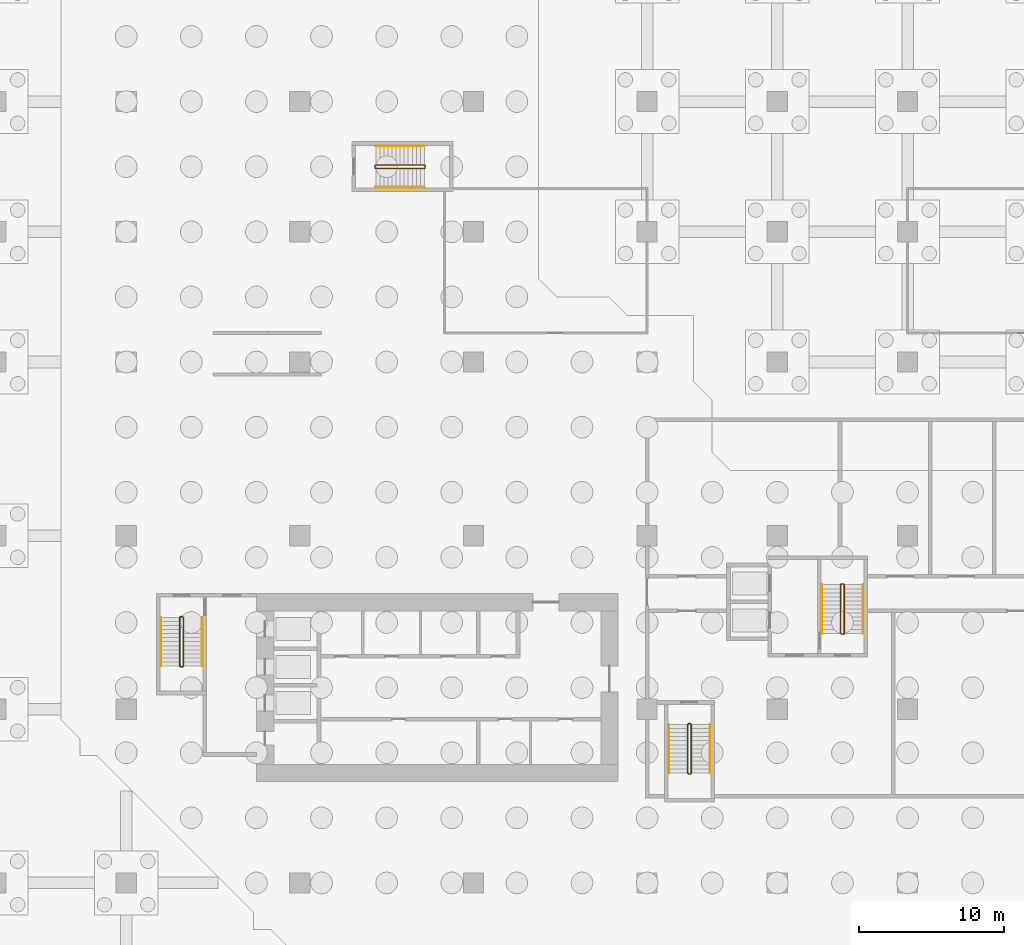
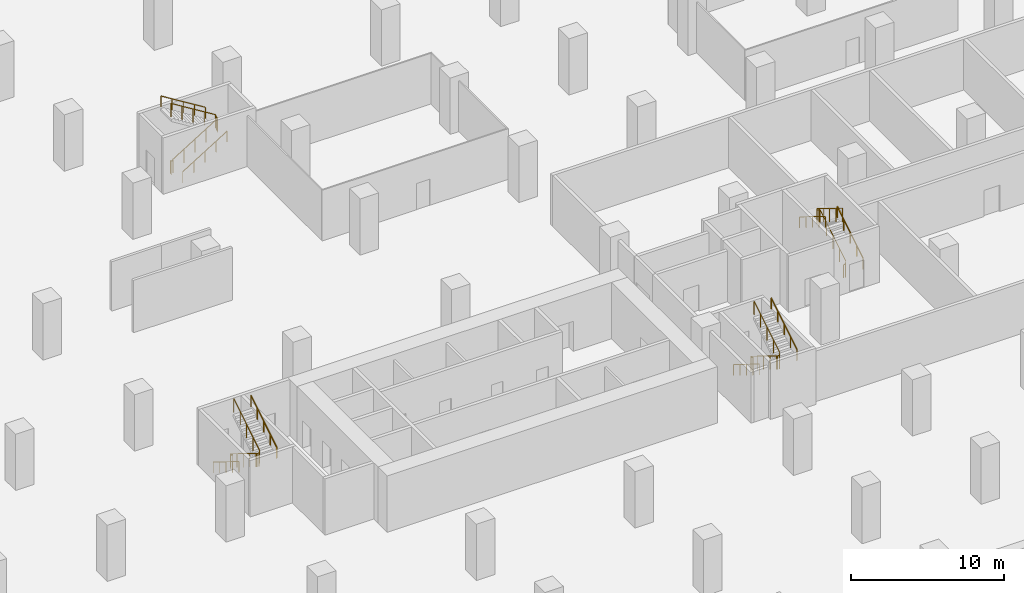
# One storey, part 12 of 13: 12 railings.
"""IFC4 building model written with IfcOpenShell, lengths in metres."""

from ifc_helpers import new_model, si_unit, direction, frame, origin, origin_2d, place, context, subcontext, project, spatial, rectangle, extrude, material, type_object, element, save


model = new_model("IFC4")

# Units and contexts
model_context = context("Model", 3, precision=1e-05, world=origin(), true_north=direction((0.0, 1.0)))
body_context = subcontext(model_context, "Body", "Model", "MODEL_VIEW")
ifc_project = project(units=[si_unit("LENGTHUNIT", "METRE"), si_unit("AREAUNIT", "SQUARE_METRE"), si_unit("VOLUMEUNIT", "CUBIC_METRE"), si_unit("PLANEANGLEUNIT", "RADIAN"), si_unit("MASSUNIT", "GRAM", prefix="KILO")], contexts=[model_context])

# Site, building, storey
site_placement = place(None, origin())
site = spatial("IfcSite", under=ifc_project, at=site_placement, CompositionType="ELEMENT")
building_placement = place(site_placement, origin())
building = spatial("IfcBuilding", under=site, at=building_placement, Name="Chenar Terraces", CompositionType="ELEMENT")
storey_placement = place(building_placement, frame((0.0, 0.0, -13.5)))
storey = spatial("IfcBuildingStorey", under=building, at=storey_placement, Name="B3", CompositionType="ELEMENT", Elevation=-13.5)

# Railings
ifc_material_1 = material(Name="Powder-coated steel", Category="steel")
railing_type_1 = type_object("IfcRailingType", Name="Stair guard 1100", PredefinedType="GUARDRAIL", material=ifc_material_1)
railing_1_placement = place(storey_placement, frame((3.949951171875, 18.35009765625, 4.5)))
element("IfcRailing", 1, at=railing_1_placement, inside=storey, type_object=railing_type_1, Name="B3 ST1 stair guard 1", PredefinedType="GUARDRAIL", context=body_context, shape_type="SweptSolid", body=[
    extrude(rectangle(XDim=0.048095703125, YDim=0.048095703125, at=origin_2d()), frame((0.0, 0.0, 1.076171875), z_axis=(0.0, -0.850623216509, -0.525775754039), x_axis=(1.0, 0.0, 0.0)), (0.0, 0.0, 1.0), 3.9501953125),
    extrude(rectangle(XDim=0.048095703125, YDim=0.048095703125, at=origin_2d()), frame((0.0, -3.360107421875, -1.0009765625), z_axis=(-0.267629722418, -0.267629722418, -0.925607186314), x_axis=(0.707106781187, -0.707106781187, 0.0)), (0.0, 0.0, 1.0), 0.18701171875),
    extrude(rectangle(XDim=0.048095703125, YDim=0.048095703125, at=origin_2d()), frame((-0.050048828125, -3.41015625, -1.173828125), z_axis=(-1.0, 0.0, 0.0), x_axis=(0.0, -1.0, 0.0)), (0.0, 0.0, 1.0), 0.14990234375),
    extrude(rectangle(XDim=0.048095703125, YDim=0.048095703125, at=origin_2d()), frame((-0.199951171875, -3.41015625, -1.173828125), z_axis=(-0.707106781187, 0.707106781187, 0.0), x_axis=(-0.707106781187, -0.707106781187, 0.0)), (0.0, 0.0, 1.0), 0.07080078125),
    extrude(rectangle(XDim=0.048095703125, YDim=0.048095703125, at=origin_2d()), frame((-0.25, -3.360107421875, -1.173828125), z_axis=(0.0, 0.850623216509, -0.525775754039), x_axis=(-1.0, 0.0, 0.0)), (0.0, 0.0, 1.0), 3.9501953125),
    extrude(rectangle(XDim=0.048095703125, YDim=0.048095703125, at=origin_2d()), frame((-0.25, 0.0, -3.2509765625), z_axis=(0.267723051232, 0.266417085129, -0.925929967433), x_axis=(-0.705375805398, 0.708833529934, 0.0)), (0.0, 0.0, 1.0), 0.18701171875),
    extrude(rectangle(XDim=0.048095703125, YDim=0.048095703125, at=origin_2d()), frame((-0.199951171875, 0.0498046875, -3.423828125), z_axis=(1.0, 0.0, 0.0), x_axis=(0.0, 1.0, 0.0)), (0.0, 0.0, 1.0), 0.14990234375),
    extrude(rectangle(XDim=0.0419921875, YDim=0.0419921875, at=origin_2d()), origin(), (0.0, 0.0, 1.0), 1.052001953125),
    extrude(rectangle(XDim=0.0419921875, YDim=0.0419921875, at=origin_2d()), frame((0.0, -0.840087890625, -0.519287109375)), (0.0, 0.0, 1.0), 1.052001953125),
    extrude(rectangle(XDim=0.0419921875, YDim=0.0419921875, at=origin_2d()), frame((0.0, -1.68017578125, -1.03857421875)), (0.0, 0.0, 1.0), 1.052001953125),
    extrude(rectangle(XDim=0.0419921875, YDim=0.0419921875, at=origin_2d()), frame((0.0, -2.52001953125, -1.5576171875)), (0.0, 0.0, 1.0), 1.052001953125),
    extrude(rectangle(XDim=0.0419921875, YDim=0.0419921875, at=origin_2d()), frame((0.0, -3.360107421875, -2.076904296875)), (0.0, 0.0, 1.0), 1.052001953125),
    extrude(rectangle(XDim=0.0419921875, YDim=0.0419921875, at=origin_2d()), frame((-0.050048828125, -3.41015625, -2.25)), (0.0, 0.0, 1.0), 1.052001953125),
    extrude(rectangle(XDim=0.0419921875, YDim=0.0419921875, at=origin_2d()), frame((-0.199951171875, -3.41015625, -2.25)), (0.0, 0.0, 1.0), 1.052001953125),
    extrude(rectangle(XDim=0.0419921875, YDim=0.0419921875, at=origin_2d()), frame((-0.25, -3.360107421875, -2.25)), (0.0, 0.0, 1.0), 1.052001953125),
    extrude(rectangle(XDim=0.0419921875, YDim=0.0419921875, at=origin_2d()), frame((-0.25, -2.52001953125, -2.769287109375)), (0.0, 0.0, 1.0), 1.052001953125),
    extrude(rectangle(XDim=0.0419921875, YDim=0.0419921875, at=origin_2d()), frame((-0.25, -1.68017578125, -3.28857421875)), (0.0, 0.0, 1.0), 1.052001953125),
    extrude(rectangle(XDim=0.0419921875, YDim=0.0419921875, at=origin_2d()), frame((-0.25, -0.840087890625, -3.8076171875)), (0.0, 0.0, 1.0), 1.052001953125),
    extrude(rectangle(XDim=0.0419921875, YDim=0.0419921875, at=origin_2d()), frame((-0.25, 0.0, -4.326904296875)), (0.0, 0.0, 1.0), 1.052001953125),
    extrude(rectangle(XDim=0.0419921875, YDim=0.0419921875, at=origin_2d()), frame((-0.199951171875, 0.0498046875, -4.5)), (0.0, 0.0, 1.0), 1.052001953125),
    extrude(rectangle(XDim=0.0419921875, YDim=0.0419921875, at=origin_2d()), frame((-0.050048828125, 0.0498046875, -4.5)), (0.0, 0.0, 1.0), 1.052001953125),
])
railing_2_placement = place(storey_placement, frame((39.050048828125, 10.949951171875, 4.5)))
element("IfcRailing", 2, at=railing_2_placement, inside=storey, type_object=railing_type_1, Name="B3 ST2 stair guard 1", PredefinedType="GUARDRAIL", context=body_context, shape_type="SweptSolid", body=[
    extrude(rectangle(XDim=0.048095703125, YDim=0.048095703125, at=origin_2d()), frame((0.0, 0.0, 1.076171875), z_axis=(0.0, -0.850606129759, -0.525803396734), x_axis=(1.0, 0.0, 0.0)), (0.0, 0.0, 1.0), 3.949951171875),
    extrude(rectangle(XDim=0.048095703125, YDim=0.048095703125, at=origin_2d()), frame((0.0, -3.35986328125, -1.0009765625), z_axis=(-0.267629722418, -0.267629722418, -0.925607186314), x_axis=(0.707106781187, -0.707106781187, 0.0)), (0.0, 0.0, 1.0), 0.18701171875),
    extrude(rectangle(XDim=0.048095703125, YDim=0.048095703125, at=origin_2d()), frame((-0.050048828125, -3.409912109375, -1.173828125), z_axis=(-1.0, 0.0, 0.0), x_axis=(0.0, -1.0, 0.0)), (0.0, 0.0, 1.0), 0.14990234375),
    extrude(rectangle(XDim=0.048095703125, YDim=0.048095703125, at=origin_2d()), frame((-0.199951171875, -3.409912109375, -1.173828125), z_axis=(-0.707106781187, 0.707106781187, 0.0), x_axis=(-0.707106781187, -0.707106781187, 0.0)), (0.0, 0.0, 1.0), 0.07080078125),
    extrude(rectangle(XDim=0.048095703125, YDim=0.048095703125, at=origin_2d()), frame((-0.25, -3.35986328125, -1.173828125), z_axis=(0.0, 0.850606129759, -0.525803396734), x_axis=(-1.0, 0.0, 0.0)), (0.0, 0.0, 1.0), 3.949951171875),
    extrude(rectangle(XDim=0.048095703125, YDim=0.048095703125, at=origin_2d()), frame((-0.25, 0.0, -3.2509765625), z_axis=(0.267629722418, 0.267629722418, -0.925607186314), x_axis=(-0.707106781187, 0.707106781187, 0.0)), (0.0, 0.0, 1.0), 0.18701171875),
    extrude(rectangle(XDim=0.048095703125, YDim=0.048095703125, at=origin_2d()), frame((-0.199951171875, 0.050048828125, -3.423828125), z_axis=(1.0, 0.0, 0.0), x_axis=(0.0, 1.0, 0.0)), (0.0, 0.0, 1.0), 0.14990234375),
    extrude(rectangle(XDim=0.0419921875, YDim=0.0419921875, at=origin_2d()), origin(), (0.0, 0.0, 1.0), 1.052001953125),
    extrude(rectangle(XDim=0.0419921875, YDim=0.0419921875, at=origin_2d()), frame((0.0, -0.83984375, -0.519287109375)), (0.0, 0.0, 1.0), 1.052001953125),
    extrude(rectangle(XDim=0.0419921875, YDim=0.0419921875, at=origin_2d()), frame((0.0, -1.679931640625, -1.03857421875)), (0.0, 0.0, 1.0), 1.052001953125),
    extrude(rectangle(XDim=0.0419921875, YDim=0.0419921875, at=origin_2d()), frame((0.0, -2.52001953125, -1.5576171875)), (0.0, 0.0, 1.0), 1.052001953125),
    extrude(rectangle(XDim=0.0419921875, YDim=0.0419921875, at=origin_2d()), frame((0.0, -3.35986328125, -2.076904296875)), (0.0, 0.0, 1.0), 1.052001953125),
    extrude(rectangle(XDim=0.0419921875, YDim=0.0419921875, at=origin_2d()), frame((-0.050048828125, -3.409912109375, -2.25)), (0.0, 0.0, 1.0), 1.052001953125),
    extrude(rectangle(XDim=0.0419921875, YDim=0.0419921875, at=origin_2d()), frame((-0.199951171875, -3.409912109375, -2.25)), (0.0, 0.0, 1.0), 1.052001953125),
    extrude(rectangle(XDim=0.0419921875, YDim=0.0419921875, at=origin_2d()), frame((-0.25, -3.35986328125, -2.25)), (0.0, 0.0, 1.0), 1.052001953125),
    extrude(rectangle(XDim=0.0419921875, YDim=0.0419921875, at=origin_2d()), frame((-0.25, -2.52001953125, -2.769287109375)), (0.0, 0.0, 1.0), 1.052001953125),
    extrude(rectangle(XDim=0.0419921875, YDim=0.0419921875, at=origin_2d()), frame((-0.25, -1.679931640625, -3.28857421875)), (0.0, 0.0, 1.0), 1.052001953125),
    extrude(rectangle(XDim=0.0419921875, YDim=0.0419921875, at=origin_2d()), frame((-0.25, -0.83984375, -3.8076171875)), (0.0, 0.0, 1.0), 1.052001953125),
    extrude(rectangle(XDim=0.0419921875, YDim=0.0419921875, at=origin_2d()), frame((-0.25, 0.0, -4.326904296875)), (0.0, 0.0, 1.0), 1.052001953125),
    extrude(rectangle(XDim=0.0419921875, YDim=0.0419921875, at=origin_2d()), frame((-0.199951171875, 0.050048828125, -4.5)), (0.0, 0.0, 1.0), 1.052001953125),
    extrude(rectangle(XDim=0.0419921875, YDim=0.0419921875, at=origin_2d()), frame((-0.050048828125, 0.050048828125, -4.5)), (0.0, 0.0, 1.0), 1.052001953125),
])
railing_3_placement = place(storey_placement, frame((49.375, 17.25, 4.5)))
element("IfcRailing", 3, at=railing_3_placement, inside=storey, type_object=railing_type_1, Name="B3 ST3 stair guard 1", PredefinedType="GUARDRAIL", context=body_context, shape_type="SweptSolid", body=[
    extrude(rectangle(XDim=0.048095703125, YDim=0.048095703125, at=origin_2d()), frame((0.0, 0.0, 1.076171875), z_axis=(0.0, 0.850623216509, -0.525775754039), x_axis=(-1.0, 0.0, 0.0)), (0.0, 0.0, 1.0), 3.9501953125),
    extrude(rectangle(XDim=0.048095703125, YDim=0.048095703125, at=origin_2d()), frame((0.0, 3.360107421875, -1.0009765625), z_axis=(0.267723051232, 0.266417085129, -0.925929967433), x_axis=(-0.705375805398, 0.708833529934, 0.0)), (0.0, 0.0, 1.0), 0.18701171875),
    extrude(rectangle(XDim=0.048095703125, YDim=0.048095703125, at=origin_2d()), frame((0.050048828125, 3.409912109375, -1.173828125), z_axis=(1.0, 0.0, 0.0), x_axis=(0.0, 1.0, 0.0)), (0.0, 0.0, 1.0), 0.14990234375),
    extrude(rectangle(XDim=0.048095703125, YDim=0.048095703125, at=origin_2d()), frame((0.199951171875, 3.409912109375, -1.173828125), z_axis=(0.708833529934, -0.705375805398, 0.0), x_axis=(0.705375805398, 0.708833529934, 0.0)), (0.0, 0.0, 1.0), 0.070556640625),
    extrude(rectangle(XDim=0.048095703125, YDim=0.048095703125, at=origin_2d()), frame((0.25, 3.360107421875, -1.173828125), z_axis=(0.0, -0.850623216509, -0.525775754039), x_axis=(1.0, 0.0, 0.0)), (0.0, 0.0, 1.0), 3.9501953125),
    extrude(rectangle(XDim=0.048095703125, YDim=0.048095703125, at=origin_2d()), frame((0.25, 0.0, -3.2509765625), z_axis=(-0.267629722418, -0.267629722418, -0.925607186314), x_axis=(0.707106781187, -0.707106781187, 0.0)), (0.0, 0.0, 1.0), 0.18701171875),
    extrude(rectangle(XDim=0.048095703125, YDim=0.048095703125, at=origin_2d()), frame((0.199951171875, -0.050048828125, -3.423828125), z_axis=(-1.0, 0.0, 0.0), x_axis=(0.0, -1.0, 0.0)), (0.0, 0.0, 1.0), 0.14990234375),
    extrude(rectangle(XDim=0.0419921875, YDim=0.0419921875, at=origin_2d()), origin(), (0.0, 0.0, 1.0), 1.052001953125),
    extrude(rectangle(XDim=0.0419921875, YDim=0.0419921875, at=origin_2d()), frame((0.0, 0.840087890625, -0.519287109375)), (0.0, 0.0, 1.0), 1.052001953125),
    extrude(rectangle(XDim=0.0419921875, YDim=0.0419921875, at=origin_2d()), frame((0.0, 1.68017578125, -1.03857421875)), (0.0, 0.0, 1.0), 1.052001953125),
    extrude(rectangle(XDim=0.0419921875, YDim=0.0419921875, at=origin_2d()), frame((0.0, 2.52001953125, -1.5576171875)), (0.0, 0.0, 1.0), 1.052001953125),
    extrude(rectangle(XDim=0.0419921875, YDim=0.0419921875, at=origin_2d()), frame((0.0, 3.360107421875, -2.076904296875)), (0.0, 0.0, 1.0), 1.052001953125),
    extrude(rectangle(XDim=0.0419921875, YDim=0.0419921875, at=origin_2d()), frame((0.050048828125, 3.409912109375, -2.25)), (0.0, 0.0, 1.0), 1.052001953125),
    extrude(rectangle(XDim=0.0419921875, YDim=0.0419921875, at=origin_2d()), frame((0.199951171875, 3.409912109375, -2.25)), (0.0, 0.0, 1.0), 1.052001953125),
    extrude(rectangle(XDim=0.0419921875, YDim=0.0419921875, at=origin_2d()), frame((0.25, 3.360107421875, -2.25)), (0.0, 0.0, 1.0), 1.052001953125),
    extrude(rectangle(XDim=0.0419921875, YDim=0.0419921875, at=origin_2d()), frame((0.25, 2.52001953125, -2.769287109375)), (0.0, 0.0, 1.0), 1.052001953125),
    extrude(rectangle(XDim=0.0419921875, YDim=0.0419921875, at=origin_2d()), frame((0.25, 1.68017578125, -3.28857421875)), (0.0, 0.0, 1.0), 1.052001953125),
    extrude(rectangle(XDim=0.0419921875, YDim=0.0419921875, at=origin_2d()), frame((0.25, 0.840087890625, -3.8076171875)), (0.0, 0.0, 1.0), 1.052001953125),
    extrude(rectangle(XDim=0.0419921875, YDim=0.0419921875, at=origin_2d()), frame((0.25, 0.0, -4.326904296875)), (0.0, 0.0, 1.0), 1.052001953125),
    extrude(rectangle(XDim=0.0419921875, YDim=0.0419921875, at=origin_2d()), frame((0.199951171875, -0.050048828125, -4.5)), (0.0, 0.0, 1.0), 1.052001953125),
    extrude(rectangle(XDim=0.0419921875, YDim=0.0419921875, at=origin_2d()), frame((0.050048828125, -0.050048828125, -4.5)), (0.0, 0.0, 1.0), 1.052001953125),
])
railing_4_placement = place(storey_placement, frame((17.25, 49.625, 4.5)))
element("IfcRailing", 4, at=railing_4_placement, inside=storey, type_object=railing_type_1, Name="B3 ST4 stair guard 1", PredefinedType="GUARDRAIL", context=body_context, shape_type="SweptSolid", body=[
    extrude(rectangle(XDim=0.048095703125, YDim=0.048095703125, at=origin_2d()), frame((0.0, 0.0, 1.076171875), z_axis=(0.850623216509, 0.0, -0.525775754039), x_axis=(0.0, 1.0, 0.0)), (0.0, 0.0, 1.0), 3.9501953125),
    extrude(rectangle(XDim=0.048095703125, YDim=0.048095703125, at=origin_2d()), frame((3.360107421875, 0.0, -1.0009765625), z_axis=(0.266417085129, -0.267723051232, -0.925929967433), x_axis=(0.708833529934, 0.705375805398, 0.0)), (0.0, 0.0, 1.0), 0.18701171875),
    extrude(rectangle(XDim=0.048095703125, YDim=0.048095703125, at=origin_2d()), frame((3.409912109375, -0.050048828125, -1.173828125), z_axis=(0.0, -1.0, 0.0), x_axis=(1.0, 0.0, 0.0)), (0.0, 0.0, 1.0), 0.14990234375),
    extrude(rectangle(XDim=0.048095703125, YDim=0.048095703125, at=origin_2d()), frame((3.409912109375, -0.199951171875, -1.173828125), z_axis=(-0.705375805398, -0.708833529934, 0.0), x_axis=(0.708833529934, -0.705375805398, 0.0)), (0.0, 0.0, 1.0), 0.070556640625),
    extrude(rectangle(XDim=0.048095703125, YDim=0.048095703125, at=origin_2d()), frame((3.360107421875, -0.25, -1.173828125), z_axis=(-0.850623216509, 0.0, -0.525775754039), x_axis=(0.0, -1.0, 0.0)), (0.0, 0.0, 1.0), 3.9501953125),
    extrude(rectangle(XDim=0.048095703125, YDim=0.048095703125, at=origin_2d()), frame((0.0, -0.25, -3.2509765625), z_axis=(-0.267629722418, 0.267629722418, -0.925607186314), x_axis=(-0.707106781187, -0.707106781187, 0.0)), (0.0, 0.0, 1.0), 0.18701171875),
    extrude(rectangle(XDim=0.048095703125, YDim=0.048095703125, at=origin_2d()), frame((-0.050048828125, -0.199951171875, -3.423828125), z_axis=(0.0, 1.0, 0.0), x_axis=(-1.0, 0.0, 0.0)), (0.0, 0.0, 1.0), 0.14990234375),
    extrude(rectangle(XDim=0.0419921875, YDim=0.0419921875, at=origin_2d()), origin(), (0.0, 0.0, 1.0), 1.052001953125),
    extrude(rectangle(XDim=0.0419921875, YDim=0.0419921875, at=origin_2d()), frame((0.840087890625, 0.0, -0.519287109375)), (0.0, 0.0, 1.0), 1.052001953125),
    extrude(rectangle(XDim=0.0419921875, YDim=0.0419921875, at=origin_2d()), frame((1.68017578125, 0.0, -1.03857421875)), (0.0, 0.0, 1.0), 1.052001953125),
    extrude(rectangle(XDim=0.0419921875, YDim=0.0419921875, at=origin_2d()), frame((2.52001953125, 0.0, -1.5576171875)), (0.0, 0.0, 1.0), 1.052001953125),
    extrude(rectangle(XDim=0.0419921875, YDim=0.0419921875, at=origin_2d()), frame((3.360107421875, 0.0, -2.076904296875)), (0.0, 0.0, 1.0), 1.052001953125),
    extrude(rectangle(XDim=0.0419921875, YDim=0.0419921875, at=origin_2d()), frame((3.409912109375, -0.050048828125, -2.25)), (0.0, 0.0, 1.0), 1.052001953125),
    extrude(rectangle(XDim=0.0419921875, YDim=0.0419921875, at=origin_2d()), frame((3.409912109375, -0.199951171875, -2.25)), (0.0, 0.0, 1.0), 1.052001953125),
    extrude(rectangle(XDim=0.0419921875, YDim=0.0419921875, at=origin_2d()), frame((3.360107421875, -0.25, -2.25)), (0.0, 0.0, 1.0), 1.052001953125),
    extrude(rectangle(XDim=0.0419921875, YDim=0.0419921875, at=origin_2d()), frame((2.52001953125, -0.25, -2.769287109375)), (0.0, 0.0, 1.0), 1.052001953125),
    extrude(rectangle(XDim=0.0419921875, YDim=0.0419921875, at=origin_2d()), frame((1.68017578125, -0.25, -3.28857421875)), (0.0, 0.0, 1.0), 1.052001953125),
    extrude(rectangle(XDim=0.0419921875, YDim=0.0419921875, at=origin_2d()), frame((0.840087890625, -0.25, -3.8076171875)), (0.0, 0.0, 1.0), 1.052001953125),
    extrude(rectangle(XDim=0.0419921875, YDim=0.0419921875, at=origin_2d()), frame((0.0, -0.25, -4.326904296875)), (0.0, 0.0, 1.0), 1.052001953125),
    extrude(rectangle(XDim=0.0419921875, YDim=0.0419921875, at=origin_2d()), frame((-0.050048828125, -0.199951171875, -4.5)), (0.0, 0.0, 1.0), 1.052001953125),
    extrude(rectangle(XDim=0.0419921875, YDim=0.0419921875, at=origin_2d()), frame((-0.050048828125, -0.050048828125, -4.5)), (0.0, 0.0, 1.0), 1.052001953125),
])
ifc_material_2 = material(Name="Powder-coated steel", Category="steel")
railing_type_2 = type_object("IfcRailingType", Name="Stair handrail 900", PredefinedType="HANDRAIL", material=ifc_material_2)
railing_5_placement = place(storey_placement, frame((2.39990234375, 18.35009765625, 0.173095703125)))
element("IfcRailing", 5, at=railing_5_placement, inside=storey, type_object=railing_type_2, Name="B3 ST1 stair handrail 1", PredefinedType="HANDRAIL", context=body_context, shape_type="SweptSolid", body=[
    extrude(rectangle(XDim=0.048095703125, YDim=0.048095703125, at=origin_2d()), frame((0.0, 0.0, 0.8759765625), z_axis=(0.0, -0.850623216509, 0.525775754039), x_axis=(1.0, 0.0, 0.0)), (0.0, 0.0, 1.0), 3.9501953125),
    extrude(rectangle(XDim=0.0419921875, YDim=0.0419921875, at=origin_2d()), origin(), (0.0, 0.0, 1.0), 0.851806640625),
    extrude(rectangle(XDim=0.0419921875, YDim=0.0419921875, at=origin_2d()), frame((0.0, -0.840087890625, 0.519287109375)), (0.0, 0.0, 1.0), 0.851806640625),
    extrude(rectangle(XDim=0.0419921875, YDim=0.0419921875, at=origin_2d()), frame((0.0, -1.68017578125, 1.03857421875)), (0.0, 0.0, 1.0), 0.851806640625),
    extrude(rectangle(XDim=0.0419921875, YDim=0.0419921875, at=origin_2d()), frame((0.0, -2.52001953125, 1.5576171875)), (0.0, 0.0, 1.0), 0.851806640625),
    extrude(rectangle(XDim=0.0419921875, YDim=0.0419921875, at=origin_2d()), frame((0.0, -3.360107421875, 2.076904296875)), (0.0, 0.0, 1.0), 0.851806640625),
])
railing_6_placement = place(storey_placement, frame((5.25, 14.989990234375, 2.423095703125)))
element("IfcRailing", 6, at=railing_6_placement, inside=storey, type_object=railing_type_2, Name="B3 ST1 stair handrail 2", PredefinedType="HANDRAIL", context=body_context, shape_type="SweptSolid", body=[
    extrude(rectangle(XDim=0.048095703125, YDim=0.048095703125, at=origin_2d()), frame((0.0, 0.0, 0.8759765625), z_axis=(0.0, 0.850623216509, 0.525775754039), x_axis=(-1.0, 0.0, 0.0)), (0.0, 0.0, 1.0), 3.9501953125),
    extrude(rectangle(XDim=0.0419921875, YDim=0.0419921875, at=origin_2d()), origin(), (0.0, 0.0, 1.0), 0.851806640625),
    extrude(rectangle(XDim=0.0419921875, YDim=0.0419921875, at=origin_2d()), frame((0.0, 0.840087890625, 0.519287109375)), (0.0, 0.0, 1.0), 0.851806640625),
    extrude(rectangle(XDim=0.0419921875, YDim=0.0419921875, at=origin_2d()), frame((0.0, 1.68017578125, 1.03857421875)), (0.0, 0.0, 1.0), 0.851806640625),
    extrude(rectangle(XDim=0.0419921875, YDim=0.0419921875, at=origin_2d()), frame((0.0, 2.52001953125, 1.5576171875)), (0.0, 0.0, 1.0), 0.851806640625),
    extrude(rectangle(XDim=0.0419921875, YDim=0.0419921875, at=origin_2d()), frame((0.0, 3.360107421875, 2.076904296875)), (0.0, 0.0, 1.0), 0.851806640625),
])
railing_7_placement = place(storey_placement, frame((37.5, 10.949951171875, 0.173095703125)))
element("IfcRailing", 7, at=railing_7_placement, inside=storey, type_object=railing_type_2, Name="B3 ST2 stair handrail 1", PredefinedType="HANDRAIL", context=body_context, shape_type="SweptSolid", body=[
    extrude(rectangle(XDim=0.048095703125, YDim=0.048095703125, at=origin_2d()), frame((0.0, 0.0, 0.8759765625), z_axis=(0.0, -0.850606129759, 0.525803396734), x_axis=(1.0, 0.0, 0.0)), (0.0, 0.0, 1.0), 3.949951171875),
    extrude(rectangle(XDim=0.0419921875, YDim=0.0419921875, at=origin_2d()), origin(), (0.0, 0.0, 1.0), 0.851806640625),
    extrude(rectangle(XDim=0.0419921875, YDim=0.0419921875, at=origin_2d()), frame((0.0, -0.83984375, 0.519287109375)), (0.0, 0.0, 1.0), 0.851806640625),
    extrude(rectangle(XDim=0.0419921875, YDim=0.0419921875, at=origin_2d()), frame((0.0, -1.679931640625, 1.03857421875)), (0.0, 0.0, 1.0), 0.851806640625),
    extrude(rectangle(XDim=0.0419921875, YDim=0.0419921875, at=origin_2d()), frame((0.0, -2.52001953125, 1.5576171875)), (0.0, 0.0, 1.0), 0.851806640625),
    extrude(rectangle(XDim=0.0419921875, YDim=0.0419921875, at=origin_2d()), frame((0.0, -3.35986328125, 2.076904296875)), (0.0, 0.0, 1.0), 0.851806640625),
])
railing_8_placement = place(storey_placement, frame((40.35009765625, 7.590087890625, 2.423095703125)))
element("IfcRailing", 8, at=railing_8_placement, inside=storey, type_object=railing_type_2, Name="B3 ST2 stair handrail 2", PredefinedType="HANDRAIL", context=body_context, shape_type="SweptSolid", body=[
    extrude(rectangle(XDim=0.048095703125, YDim=0.048095703125, at=origin_2d()), frame((0.0, 0.0, 0.8759765625), z_axis=(0.0, 0.850606129759, 0.525803396734), x_axis=(-1.0, 0.0, 0.0)), (0.0, 0.0, 1.0), 3.949951171875),
    extrude(rectangle(XDim=0.0419921875, YDim=0.0419921875, at=origin_2d()), origin(), (0.0, 0.0, 1.0), 0.851806640625),
    extrude(rectangle(XDim=0.0419921875, YDim=0.0419921875, at=origin_2d()), frame((0.0, 0.83984375, 0.519287109375)), (0.0, 0.0, 1.0), 0.851806640625),
    extrude(rectangle(XDim=0.0419921875, YDim=0.0419921875, at=origin_2d()), frame((0.0, 1.679931640625, 1.03857421875)), (0.0, 0.0, 1.0), 0.851806640625),
    extrude(rectangle(XDim=0.0419921875, YDim=0.0419921875, at=origin_2d()), frame((0.0, 2.52001953125, 1.5576171875)), (0.0, 0.0, 1.0), 0.851806640625),
    extrude(rectangle(XDim=0.0419921875, YDim=0.0419921875, at=origin_2d()), frame((0.0, 3.35986328125, 2.076904296875)), (0.0, 0.0, 1.0), 0.851806640625),
])
railing_9_placement = place(storey_placement, frame((50.925048828125, 17.25, 0.173095703125)))
element("IfcRailing", 9, at=railing_9_placement, inside=storey, type_object=railing_type_2, Name="B3 ST3 stair handrail 1", PredefinedType="HANDRAIL", context=body_context, shape_type="SweptSolid", body=[
    extrude(rectangle(XDim=0.048095703125, YDim=0.048095703125, at=origin_2d()), frame((0.0, 0.0, 0.8759765625), z_axis=(0.0, 0.850623216509, 0.525775754039), x_axis=(-1.0, 0.0, 0.0)), (0.0, 0.0, 1.0), 3.9501953125),
    extrude(rectangle(XDim=0.0419921875, YDim=0.0419921875, at=origin_2d()), origin(), (0.0, 0.0, 1.0), 0.851806640625),
    extrude(rectangle(XDim=0.0419921875, YDim=0.0419921875, at=origin_2d()), frame((0.0, 0.840087890625, 0.519287109375)), (0.0, 0.0, 1.0), 0.851806640625),
    extrude(rectangle(XDim=0.0419921875, YDim=0.0419921875, at=origin_2d()), frame((0.0, 1.68017578125, 1.03857421875)), (0.0, 0.0, 1.0), 0.851806640625),
    extrude(rectangle(XDim=0.0419921875, YDim=0.0419921875, at=origin_2d()), frame((0.0, 2.52001953125, 1.5576171875)), (0.0, 0.0, 1.0), 0.851806640625),
    extrude(rectangle(XDim=0.0419921875, YDim=0.0419921875, at=origin_2d()), frame((0.0, 3.360107421875, 2.076904296875)), (0.0, 0.0, 1.0), 0.851806640625),
])
railing_10_placement = place(storey_placement, frame((48.074951171875, 20.610107421875, 2.423095703125)))
element("IfcRailing", 10, at=railing_10_placement, inside=storey, type_object=railing_type_2, Name="B3 ST3 stair handrail 2", PredefinedType="HANDRAIL", context=body_context, shape_type="SweptSolid", body=[
    extrude(rectangle(XDim=0.048095703125, YDim=0.048095703125, at=origin_2d()), frame((0.0, 0.0, 0.8759765625), z_axis=(0.0, -0.850623216509, 0.525775754039), x_axis=(1.0, 0.0, 0.0)), (0.0, 0.0, 1.0), 3.9501953125),
    extrude(rectangle(XDim=0.0419921875, YDim=0.0419921875, at=origin_2d()), origin(), (0.0, 0.0, 1.0), 0.851806640625),
    extrude(rectangle(XDim=0.0419921875, YDim=0.0419921875, at=origin_2d()), frame((0.0, -0.840087890625, 0.519287109375)), (0.0, 0.0, 1.0), 0.851806640625),
    extrude(rectangle(XDim=0.0419921875, YDim=0.0419921875, at=origin_2d()), frame((0.0, -1.68017578125, 1.03857421875)), (0.0, 0.0, 1.0), 0.851806640625),
    extrude(rectangle(XDim=0.0419921875, YDim=0.0419921875, at=origin_2d()), frame((0.0, -2.52001953125, 1.5576171875)), (0.0, 0.0, 1.0), 0.851806640625),
    extrude(rectangle(XDim=0.0419921875, YDim=0.0419921875, at=origin_2d()), frame((0.0, -3.360107421875, 2.076904296875)), (0.0, 0.0, 1.0), 0.851806640625),
])
railing_11_placement = place(storey_placement, frame((17.25, 48.074951171875, 0.173095703125)))
element("IfcRailing", 11, at=railing_11_placement, inside=storey, type_object=railing_type_2, Name="B3 ST4 stair handrail 1", PredefinedType="HANDRAIL", context=body_context, shape_type="SweptSolid", body=[
    extrude(rectangle(XDim=0.048095703125, YDim=0.048095703125, at=origin_2d()), frame((0.0, 0.0, 0.8759765625), z_axis=(0.850623216509, 0.0, 0.525775754039), x_axis=(0.0, 1.0, 0.0)), (0.0, 0.0, 1.0), 3.9501953125),
    extrude(rectangle(XDim=0.0419921875, YDim=0.0419921875, at=origin_2d()), origin(), (0.0, 0.0, 1.0), 0.851806640625),
    extrude(rectangle(XDim=0.0419921875, YDim=0.0419921875, at=origin_2d()), frame((0.840087890625, 0.0, 0.519287109375)), (0.0, 0.0, 1.0), 0.851806640625),
    extrude(rectangle(XDim=0.0419921875, YDim=0.0419921875, at=origin_2d()), frame((1.68017578125, 0.0, 1.03857421875)), (0.0, 0.0, 1.0), 0.851806640625),
    extrude(rectangle(XDim=0.0419921875, YDim=0.0419921875, at=origin_2d()), frame((2.52001953125, 0.0, 1.5576171875)), (0.0, 0.0, 1.0), 0.851806640625),
    extrude(rectangle(XDim=0.0419921875, YDim=0.0419921875, at=origin_2d()), frame((3.360107421875, 0.0, 2.076904296875)), (0.0, 0.0, 1.0), 0.851806640625),
])
railing_12_placement = place(storey_placement, frame((20.610107421875, 50.925048828125, 2.423095703125)))
element("IfcRailing", 12, at=railing_12_placement, inside=storey, type_object=railing_type_2, Name="B3 ST4 stair handrail 2", PredefinedType="HANDRAIL", context=body_context, shape_type="SweptSolid", body=[
    extrude(rectangle(XDim=0.048095703125, YDim=0.048095703125, at=origin_2d()), frame((0.0, 0.0, 0.8759765625), z_axis=(-0.850623216509, 0.0, 0.525775754039), x_axis=(0.0, -1.0, 0.0)), (0.0, 0.0, 1.0), 3.9501953125),
    extrude(rectangle(XDim=0.0419921875, YDim=0.0419921875, at=origin_2d()), origin(), (0.0, 0.0, 1.0), 0.851806640625),
    extrude(rectangle(XDim=0.0419921875, YDim=0.0419921875, at=origin_2d()), frame((-0.840087890625, 0.0, 0.519287109375)), (0.0, 0.0, 1.0), 0.851806640625),
    extrude(rectangle(XDim=0.0419921875, YDim=0.0419921875, at=origin_2d()), frame((-1.68017578125, 0.0, 1.03857421875)), (0.0, 0.0, 1.0), 0.851806640625),
    extrude(rectangle(XDim=0.0419921875, YDim=0.0419921875, at=origin_2d()), frame((-2.52001953125, 0.0, 1.5576171875)), (0.0, 0.0, 1.0), 0.851806640625),
    extrude(rectangle(XDim=0.0419921875, YDim=0.0419921875, at=origin_2d()), frame((-3.360107421875, 0.0, 2.076904296875)), (0.0, 0.0, 1.0), 0.851806640625),
])

save(model, "model.ifc")
